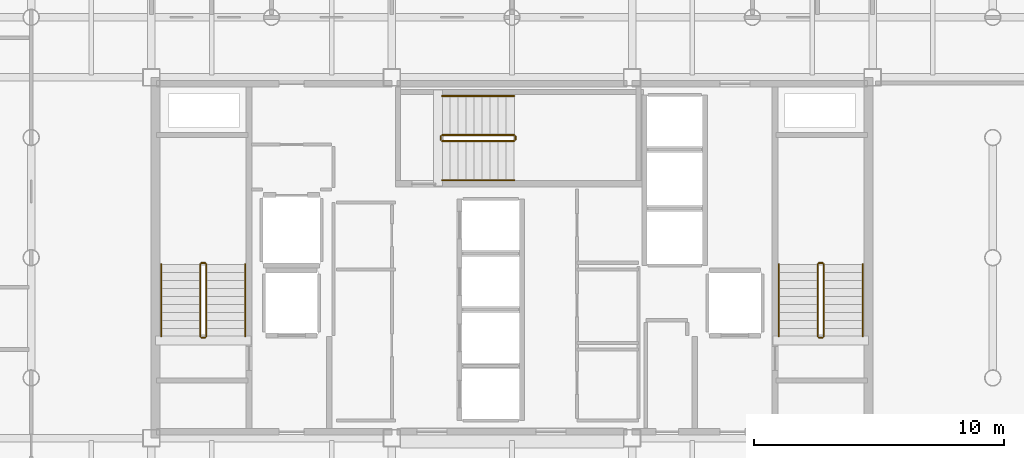
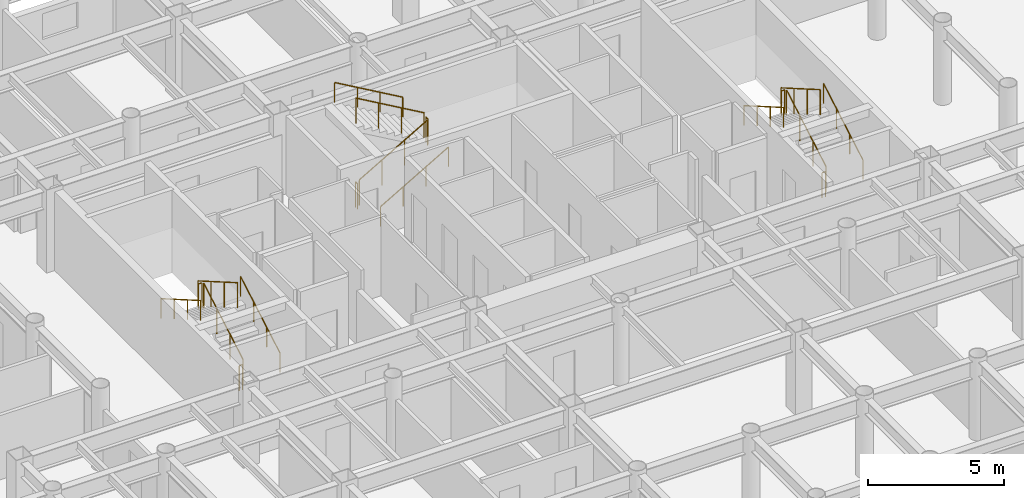
# One storey, part 20 of 20: 18 railings.
"""IFC4 building model written with IfcOpenShell, lengths in metres."""

from ifc_helpers import new_model, si_unit, direction, frame, origin, origin_2d, place, context, subcontext, project, spatial, circle, extrude, material, layer, layer_set, type_object, element, save


model = new_model("IFC4")

# Units and contexts
model_context = context("Model", 3, precision=1e-05, world=origin(), true_north=direction((0.0, 1.0)))
body_context = subcontext(model_context, "Body", "Model", "MODEL_VIEW")
ifc_project = project(units=[si_unit("LENGTHUNIT", "METRE"), si_unit("AREAUNIT", "SQUARE_METRE"), si_unit("VOLUMEUNIT", "CUBIC_METRE"), si_unit("PLANEANGLEUNIT", "RADIAN"), si_unit("MASSUNIT", "GRAM", prefix="KILO")], contexts=[model_context])

# Site, building, storey
site_placement = place(None, origin())
site = spatial("IfcSite", under=ifc_project, at=site_placement, CompositionType="ELEMENT")
building_placement = place(site_placement, origin())
building = spatial("IfcBuilding", under=site, at=building_placement, Name="Kallvorn Hotel Tower", CompositionType="ELEMENT")
storey_placement = place(building_placement, frame((0.0, 0.0, 172.89990234375)))
storey = spatial("IfcBuildingStorey", under=building, at=storey_placement, Name="L43", CompositionType="ELEMENT", Elevation=172.89990234375)

# Railings
ifc_material_1 = material(Name="Brushed stainless-steel tubular railing", Category="steel")
ifc_layer_1 = layer(ifc_material_1, 0.050048828125)
ifc_layer_set_1 = layer_set([ifc_layer_1], Name="RL_STAIR_GUARD")
railing_type_1 = type_object("IfcRailingType", Name="RL_STAIR_GUARD", PredefinedType="GUARDRAIL", material=ifc_layer_set_1)
railing_1_placement = place(storey_placement, frame((-12.2099609375, -3.139892578125, 0.18505859375)))
element("IfcRailing", 1, at=railing_1_placement, inside=storey, type_object=railing_type_1, Name="L43 ST1 stair guard 1", PredefinedType="GUARDRAIL", context=body_context, shape_type="SweptSolid", body=[
    extrude(circle(Radius=0.02392578125, at=origin_2d()), frame((0.0, 0.0, 1.1259765625), z_axis=(0.0, 0.865720918037, 0.500527014328), x_axis=(-1.0, 0.0, 0.0)), (0.0, 0.0, 1.0), 3.32666015625),
    extrude(circle(Radius=0.02099609375, at=origin_2d()), origin(), (0.0, 0.0, 1.0), 1.101806640625),
    extrude(circle(Radius=0.02099609375, at=origin_2d()), frame((0.0, 0.9599609375, 0.554931640625)), (0.0, 0.0, 1.0), 1.101806640625),
    extrude(circle(Radius=0.02099609375, at=origin_2d()), frame((0.0, 1.919921875, 1.110107421875)), (0.0, 0.0, 1.0), 1.101806640625),
    extrude(circle(Radius=0.02099609375, at=origin_2d()), frame((0.0, 2.8798828125, 1.6650390625)), (0.0, 0.0, 1.0), 1.101806640625),
])
railing_2_placement = place(storey_placement, frame((-12.260009765625, -0.2099609375, 1.85009765625)))
element("IfcRailing", 2, at=railing_2_placement, inside=storey, type_object=railing_type_1, Name="L43 ST1 stair guard 2", PredefinedType="GUARDRAIL", context=body_context, shape_type="SweptSolid", body=[
    extrude(circle(Radius=0.02392578125, at=origin_2d()), frame((0.0, 0.0, 1.1259765625), z_axis=(-1.0, 0.0, 0.0), x_axis=(0.0, -1.0, 0.0)), (0.0, 0.0, 1.0), 0.139892578125),
    extrude(circle(Radius=0.02099609375, at=origin_2d()), origin(), (0.0, 0.0, 1.0), 1.101806640625),
    extrude(circle(Radius=0.02099609375, at=origin_2d()), frame((-0.139892578125, 0.0, 0.0)), (0.0, 0.0, 1.0), 1.101806640625),
])
railing_3_placement = place(storey_placement, frame((-12.449951171875, -0.260009765625, 2.03515625)))
element("IfcRailing", 3, at=railing_3_placement, inside=storey, type_object=railing_type_1, Name="L43 ST1 stair guard 3", PredefinedType="GUARDRAIL", context=body_context, shape_type="SweptSolid", body=[
    extrude(circle(Radius=0.02392578125, at=origin_2d()), frame((0.0, 0.0, 1.1259765625), z_axis=(0.0, -0.865720918037, 0.500527014328), x_axis=(1.0, 0.0, 0.0)), (0.0, 0.0, 1.0), 3.32666015625),
    extrude(circle(Radius=0.02099609375, at=origin_2d()), origin(), (0.0, 0.0, 1.0), 1.101806640625),
    extrude(circle(Radius=0.02099609375, at=origin_2d()), frame((0.0, -0.9599609375, 0.554931640625)), (0.0, 0.0, 1.0), 1.101806640625),
    extrude(circle(Radius=0.02099609375, at=origin_2d()), frame((0.0, -1.919921875, 1.110107421875)), (0.0, 0.0, 1.0), 1.101806640625),
    extrude(circle(Radius=0.02099609375, at=origin_2d()), frame((0.0, -2.8798828125, 1.6650390625)), (0.0, 0.0, 1.0), 1.101806640625),
])
railing_4_placement = place(storey_placement, frame((-12.260009765625, -3.18994140625, 0.0)))
element("IfcRailing", 4, at=railing_4_placement, inside=storey, type_object=railing_type_1, Name="L43 ST1 stair guard 4", PredefinedType="GUARDRAIL", context=body_context, shape_type="SweptSolid", body=[
    extrude(circle(Radius=0.02392578125, at=origin_2d()), frame((0.0, 0.0, 1.1259765625), z_axis=(-1.0, 0.0, 0.0), x_axis=(0.0, -1.0, 0.0)), (0.0, 0.0, 1.0), 0.139892578125),
    extrude(circle(Radius=0.02099609375, at=origin_2d()), origin(), (0.0, 0.0, 1.0), 1.101806640625),
    extrude(circle(Radius=0.02099609375, at=origin_2d()), frame((-0.139892578125, 0.0, 0.0)), (0.0, 0.0, 1.0), 1.101806640625),
])
railing_5_placement = place(storey_placement, frame((12.449951171875, -3.139892578125, 0.18505859375)))
element("IfcRailing", 5, at=railing_5_placement, inside=storey, type_object=railing_type_1, Name="L43 ST2 stair guard 1", PredefinedType="GUARDRAIL", context=body_context, shape_type="SweptSolid", body=[
    extrude(circle(Radius=0.02392578125, at=origin_2d()), frame((0.0, 0.0, 1.1259765625), z_axis=(0.0, 0.865720918037, 0.500527014328), x_axis=(-1.0, 0.0, 0.0)), (0.0, 0.0, 1.0), 3.32666015625),
    extrude(circle(Radius=0.02099609375, at=origin_2d()), origin(), (0.0, 0.0, 1.0), 1.101806640625),
    extrude(circle(Radius=0.02099609375, at=origin_2d()), frame((0.0, 0.9599609375, 0.554931640625)), (0.0, 0.0, 1.0), 1.101806640625),
    extrude(circle(Radius=0.02099609375, at=origin_2d()), frame((0.0, 1.919921875, 1.110107421875)), (0.0, 0.0, 1.0), 1.101806640625),
    extrude(circle(Radius=0.02099609375, at=origin_2d()), frame((0.0, 2.8798828125, 1.6650390625)), (0.0, 0.0, 1.0), 1.101806640625),
])
railing_6_placement = place(storey_placement, frame((12.39990234375, -0.2099609375, 1.85009765625)))
element("IfcRailing", 6, at=railing_6_placement, inside=storey, type_object=railing_type_1, Name="L43 ST2 stair guard 2", PredefinedType="GUARDRAIL", context=body_context, shape_type="SweptSolid", body=[
    extrude(circle(Radius=0.02392578125, at=origin_2d()), frame((0.0, 0.0, 1.1259765625), z_axis=(-1.0, 0.0, 0.0), x_axis=(0.0, -1.0, 0.0)), (0.0, 0.0, 1.0), 0.139892578125),
    extrude(circle(Radius=0.02099609375, at=origin_2d()), origin(), (0.0, 0.0, 1.0), 1.101806640625),
    extrude(circle(Radius=0.02099609375, at=origin_2d()), frame((-0.139892578125, 0.0, 0.0)), (0.0, 0.0, 1.0), 1.101806640625),
])
railing_7_placement = place(storey_placement, frame((12.2099609375, -0.260009765625, 2.03515625)))
element("IfcRailing", 7, at=railing_7_placement, inside=storey, type_object=railing_type_1, Name="L43 ST2 stair guard 3", PredefinedType="GUARDRAIL", context=body_context, shape_type="SweptSolid", body=[
    extrude(circle(Radius=0.02392578125, at=origin_2d()), frame((0.0, 0.0, 1.1259765625), z_axis=(0.0, -0.865720918037, 0.500527014328), x_axis=(1.0, 0.0, 0.0)), (0.0, 0.0, 1.0), 3.32666015625),
    extrude(circle(Radius=0.02099609375, at=origin_2d()), origin(), (0.0, 0.0, 1.0), 1.101806640625),
    extrude(circle(Radius=0.02099609375, at=origin_2d()), frame((0.0, -0.9599609375, 0.554931640625)), (0.0, 0.0, 1.0), 1.101806640625),
    extrude(circle(Radius=0.02099609375, at=origin_2d()), frame((0.0, -1.919921875, 1.110107421875)), (0.0, 0.0, 1.0), 1.101806640625),
    extrude(circle(Radius=0.02099609375, at=origin_2d()), frame((0.0, -2.8798828125, 1.6650390625)), (0.0, 0.0, 1.0), 1.101806640625),
])
railing_8_placement = place(storey_placement, frame((12.39990234375, -3.18994140625, 0.0)))
element("IfcRailing", 8, at=railing_8_placement, inside=storey, type_object=railing_type_1, Name="L43 ST2 stair guard 4", PredefinedType="GUARDRAIL", context=body_context, shape_type="SweptSolid", body=[
    extrude(circle(Radius=0.02392578125, at=origin_2d()), frame((0.0, 0.0, 1.1259765625), z_axis=(-1.0, 0.0, 0.0), x_axis=(0.0, -1.0, 0.0)), (0.0, 0.0, 1.0), 0.139892578125),
    extrude(circle(Radius=0.02099609375, at=origin_2d()), origin(), (0.0, 0.0, 1.0), 1.101806640625),
    extrude(circle(Radius=0.02099609375, at=origin_2d()), frame((-0.139892578125, 0.0, 0.0)), (0.0, 0.0, 1.0), 1.101806640625),
])
railing_9_placement = place(storey_placement, frame((-2.7900390625, 4.659912109375, 0.18505859375)))
element("IfcRailing", 9, at=railing_9_placement, inside=storey, type_object=railing_type_1, Name="L43 ST3 stair guard 1", PredefinedType="GUARDRAIL", context=body_context, shape_type="SweptSolid", body=[
    extrude(circle(Radius=0.02392578125, at=origin_2d()), frame((0.0, 0.0, 1.1259765625), z_axis=(0.865739302748, 0.0, 0.50049521444), x_axis=(0.0, 1.0, 0.0)), (0.0, 0.0, 1.0), 3.326904296875),
    extrude(circle(Radius=0.02099609375, at=origin_2d()), origin(), (0.0, 0.0, 1.0), 1.101806640625),
    extrude(circle(Radius=0.02099609375, at=origin_2d()), frame((0.9599609375, 0.0, 0.554931640625)), (0.0, 0.0, 1.0), 1.101806640625),
    extrude(circle(Radius=0.02099609375, at=origin_2d()), frame((1.920166015625, 0.0, 1.110107421875)), (0.0, 0.0, 1.0), 1.101806640625),
    extrude(circle(Radius=0.02099609375, at=origin_2d()), frame((2.880126953125, 0.0, 1.6650390625)), (0.0, 0.0, 1.0), 1.101806640625),
])
railing_10_placement = place(storey_placement, frame((0.139892578125, 4.7099609375, 1.85009765625)))
element("IfcRailing", 10, at=railing_10_placement, inside=storey, type_object=railing_type_1, Name="L43 ST3 stair guard 2", PredefinedType="GUARDRAIL", context=body_context, shape_type="SweptSolid", body=[
    extrude(circle(Radius=0.02392578125, at=origin_2d()), frame((0.0, 0.0, 1.1259765625), z_axis=(0.0, 1.0, 0.0), x_axis=(-1.0, 0.0, 0.0)), (0.0, 0.0, 1.0), 0.14013671875),
    extrude(circle(Radius=0.02099609375, at=origin_2d()), origin(), (0.0, 0.0, 1.0), 1.101806640625),
    extrude(circle(Radius=0.02099609375, at=origin_2d()), frame((0.0, 0.14013671875, 0.0)), (0.0, 0.0, 1.0), 1.101806640625),
])
railing_11_placement = place(storey_placement, frame((0.090087890625, 4.89990234375, 2.03515625)))
element("IfcRailing", 11, at=railing_11_placement, inside=storey, type_object=railing_type_1, Name="L43 ST3 stair guard 3", PredefinedType="GUARDRAIL", context=body_context, shape_type="SweptSolid", body=[
    extrude(circle(Radius=0.02392578125, at=origin_2d()), frame((0.0, 0.0, 1.1259765625), z_axis=(-0.865739302748, 0.0, 0.50049521444), x_axis=(0.0, -1.0, 0.0)), (0.0, 0.0, 1.0), 3.326904296875),
    extrude(circle(Radius=0.02099609375, at=origin_2d()), origin(), (0.0, 0.0, 1.0), 1.101806640625),
    extrude(circle(Radius=0.02099609375, at=origin_2d()), frame((-0.9599609375, 0.0, 0.554931640625)), (0.0, 0.0, 1.0), 1.101806640625),
    extrude(circle(Radius=0.02099609375, at=origin_2d()), frame((-1.920166015625, 0.0, 1.110107421875)), (0.0, 0.0, 1.0), 1.101806640625),
    extrude(circle(Radius=0.02099609375, at=origin_2d()), frame((-2.880126953125, 0.0, 1.6650390625)), (0.0, 0.0, 1.0), 1.101806640625),
])
railing_12_placement = place(storey_placement, frame((-2.840087890625, 4.7099609375, 0.0)))
element("IfcRailing", 12, at=railing_12_placement, inside=storey, type_object=railing_type_1, Name="L43 ST3 stair guard 4", PredefinedType="GUARDRAIL", context=body_context, shape_type="SweptSolid", body=[
    extrude(circle(Radius=0.02392578125, at=origin_2d()), frame((0.0, 0.0, 1.1259765625), z_axis=(0.0, 1.0, 0.0), x_axis=(-1.0, 0.0, 0.0)), (0.0, 0.0, 1.0), 0.14013671875),
    extrude(circle(Radius=0.02099609375, at=origin_2d()), origin(), (0.0, 0.0, 1.0), 1.101806640625),
    extrude(circle(Radius=0.02099609375, at=origin_2d()), frame((0.0, 0.14013671875, 0.0)), (0.0, 0.0, 1.0), 1.101806640625),
])
ifc_material_2 = material(Name="Brushed stainless-steel tubular railing", Category="steel")
ifc_layer_2 = layer(ifc_material_2, 0.050048828125)
ifc_layer_set_2 = layer_set([ifc_layer_2], Name="RL_STAIR_HAND")
railing_type_2 = type_object("IfcRailingType", Name="RL_STAIR_HAND", PredefinedType="HANDRAIL", material=ifc_layer_set_2)
railing_13_placement = place(storey_placement, frame((-10.64990234375, -3.139892578125, 0.18505859375)))
element("IfcRailing", 13, at=railing_13_placement, inside=storey, type_object=railing_type_2, Name="L43 ST1 stair handrail 1", PredefinedType="HANDRAIL", context=body_context, shape_type="SweptSolid", body=[
    extrude(circle(Radius=0.02392578125, at=origin_2d()), frame((0.0, 0.0, 0.8759765625), z_axis=(0.0, 0.865720918037, 0.500527014328), x_axis=(-1.0, 0.0, 0.0)), (0.0, 0.0, 1.0), 3.32666015625),
    extrude(circle(Radius=0.02099609375, at=origin_2d()), origin(), (0.0, 0.0, 1.0), 0.851806640625),
    extrude(circle(Radius=0.02099609375, at=origin_2d()), frame((0.0, 0.9599609375, 0.554931640625)), (0.0, 0.0, 1.0), 0.851806640625),
    extrude(circle(Radius=0.02099609375, at=origin_2d()), frame((0.0, 1.919921875, 1.110107421875)), (0.0, 0.0, 1.0), 0.851806640625),
    extrude(circle(Radius=0.02099609375, at=origin_2d()), frame((0.0, 2.8798828125, 1.6650390625)), (0.0, 0.0, 1.0), 0.851806640625),
])
railing_14_placement = place(storey_placement, frame((-14.010009765625, -0.260009765625, 2.03515625)))
element("IfcRailing", 14, at=railing_14_placement, inside=storey, type_object=railing_type_2, Name="L43 ST1 stair handrail 2", PredefinedType="HANDRAIL", context=body_context, shape_type="SweptSolid", body=[
    extrude(circle(Radius=0.02392578125, at=origin_2d()), frame((0.0, 0.0, 0.8759765625), z_axis=(0.0, -0.865720918037, 0.500527014328), x_axis=(1.0, 0.0, 0.0)), (0.0, 0.0, 1.0), 3.32666015625),
    extrude(circle(Radius=0.02099609375, at=origin_2d()), origin(), (0.0, 0.0, 1.0), 0.851806640625),
    extrude(circle(Radius=0.02099609375, at=origin_2d()), frame((0.0, -0.9599609375, 0.554931640625)), (0.0, 0.0, 1.0), 0.851806640625),
    extrude(circle(Radius=0.02099609375, at=origin_2d()), frame((0.0, -1.919921875, 1.110107421875)), (0.0, 0.0, 1.0), 0.851806640625),
    extrude(circle(Radius=0.02099609375, at=origin_2d()), frame((0.0, -2.8798828125, 1.6650390625)), (0.0, 0.0, 1.0), 0.851806640625),
])
railing_15_placement = place(storey_placement, frame((14.010009765625, -3.139892578125, 0.18505859375)))
element("IfcRailing", 15, at=railing_15_placement, inside=storey, type_object=railing_type_2, Name="L43 ST2 stair handrail 1", PredefinedType="HANDRAIL", context=body_context, shape_type="SweptSolid", body=[
    extrude(circle(Radius=0.02392578125, at=origin_2d()), frame((0.0, 0.0, 0.8759765625), z_axis=(0.0, 0.865720918037, 0.500527014328), x_axis=(-1.0, 0.0, 0.0)), (0.0, 0.0, 1.0), 3.32666015625),
    extrude(circle(Radius=0.02099609375, at=origin_2d()), origin(), (0.0, 0.0, 1.0), 0.851806640625),
    extrude(circle(Radius=0.02099609375, at=origin_2d()), frame((0.0, 0.9599609375, 0.554931640625)), (0.0, 0.0, 1.0), 0.851806640625),
    extrude(circle(Radius=0.02099609375, at=origin_2d()), frame((0.0, 1.919921875, 1.110107421875)), (0.0, 0.0, 1.0), 0.851806640625),
    extrude(circle(Radius=0.02099609375, at=origin_2d()), frame((0.0, 2.8798828125, 1.6650390625)), (0.0, 0.0, 1.0), 0.851806640625),
])
railing_16_placement = place(storey_placement, frame((10.64990234375, -0.260009765625, 2.03515625)))
element("IfcRailing", 16, at=railing_16_placement, inside=storey, type_object=railing_type_2, Name="L43 ST2 stair handrail 2", PredefinedType="HANDRAIL", context=body_context, shape_type="SweptSolid", body=[
    extrude(circle(Radius=0.02392578125, at=origin_2d()), frame((0.0, 0.0, 0.8759765625), z_axis=(0.0, -0.865720918037, 0.500527014328), x_axis=(1.0, 0.0, 0.0)), (0.0, 0.0, 1.0), 3.32666015625),
    extrude(circle(Radius=0.02099609375, at=origin_2d()), origin(), (0.0, 0.0, 1.0), 0.851806640625),
    extrude(circle(Radius=0.02099609375, at=origin_2d()), frame((0.0, -0.9599609375, 0.554931640625)), (0.0, 0.0, 1.0), 0.851806640625),
    extrude(circle(Radius=0.02099609375, at=origin_2d()), frame((0.0, -1.919921875, 1.110107421875)), (0.0, 0.0, 1.0), 0.851806640625),
    extrude(circle(Radius=0.02099609375, at=origin_2d()), frame((0.0, -2.8798828125, 1.6650390625)), (0.0, 0.0, 1.0), 0.851806640625),
])
railing_17_placement = place(storey_placement, frame((-2.7900390625, 3.10009765625, 0.18505859375)))
element("IfcRailing", 17, at=railing_17_placement, inside=storey, type_object=railing_type_2, Name="L43 ST3 stair handrail 1", PredefinedType="HANDRAIL", context=body_context, shape_type="SweptSolid", body=[
    extrude(circle(Radius=0.02392578125, at=origin_2d()), frame((0.0, 0.0, 0.8759765625), z_axis=(0.865739302748, 0.0, 0.50049521444), x_axis=(0.0, 1.0, 0.0)), (0.0, 0.0, 1.0), 3.326904296875),
    extrude(circle(Radius=0.02099609375, at=origin_2d()), origin(), (0.0, 0.0, 1.0), 0.851806640625),
    extrude(circle(Radius=0.02099609375, at=origin_2d()), frame((0.9599609375, 0.0, 0.554931640625)), (0.0, 0.0, 1.0), 0.851806640625),
    extrude(circle(Radius=0.02099609375, at=origin_2d()), frame((1.920166015625, 0.0, 1.110107421875)), (0.0, 0.0, 1.0), 0.851806640625),
    extrude(circle(Radius=0.02099609375, at=origin_2d()), frame((2.880126953125, 0.0, 1.6650390625)), (0.0, 0.0, 1.0), 0.851806640625),
])
railing_18_placement = place(storey_placement, frame((0.090087890625, 6.4599609375, 2.03515625)))
element("IfcRailing", 18, at=railing_18_placement, inside=storey, type_object=railing_type_2, Name="L43 ST3 stair handrail 2", PredefinedType="HANDRAIL", context=body_context, shape_type="SweptSolid", body=[
    extrude(circle(Radius=0.02392578125, at=origin_2d()), frame((0.0, 0.0, 0.8759765625), z_axis=(-0.865739302748, 0.0, 0.50049521444), x_axis=(0.0, -1.0, 0.0)), (0.0, 0.0, 1.0), 3.326904296875),
    extrude(circle(Radius=0.02099609375, at=origin_2d()), origin(), (0.0, 0.0, 1.0), 0.851806640625),
    extrude(circle(Radius=0.02099609375, at=origin_2d()), frame((-0.9599609375, 0.0, 0.554931640625)), (0.0, 0.0, 1.0), 0.851806640625),
    extrude(circle(Radius=0.02099609375, at=origin_2d()), frame((-1.920166015625, 0.0, 1.110107421875)), (0.0, 0.0, 1.0), 0.851806640625),
    extrude(circle(Radius=0.02099609375, at=origin_2d()), frame((-2.880126953125, 0.0, 1.6650390625)), (0.0, 0.0, 1.0), 0.851806640625),
])

save(model, "model.ifc")
